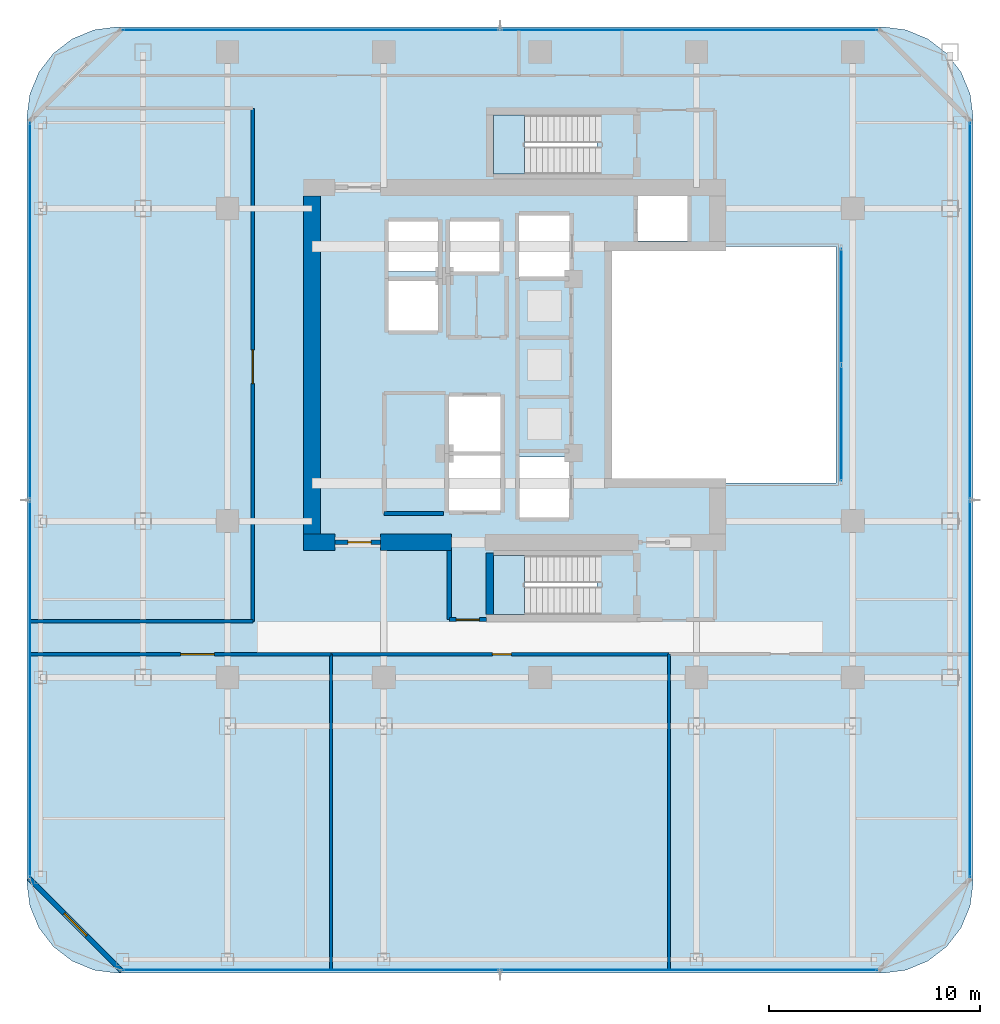
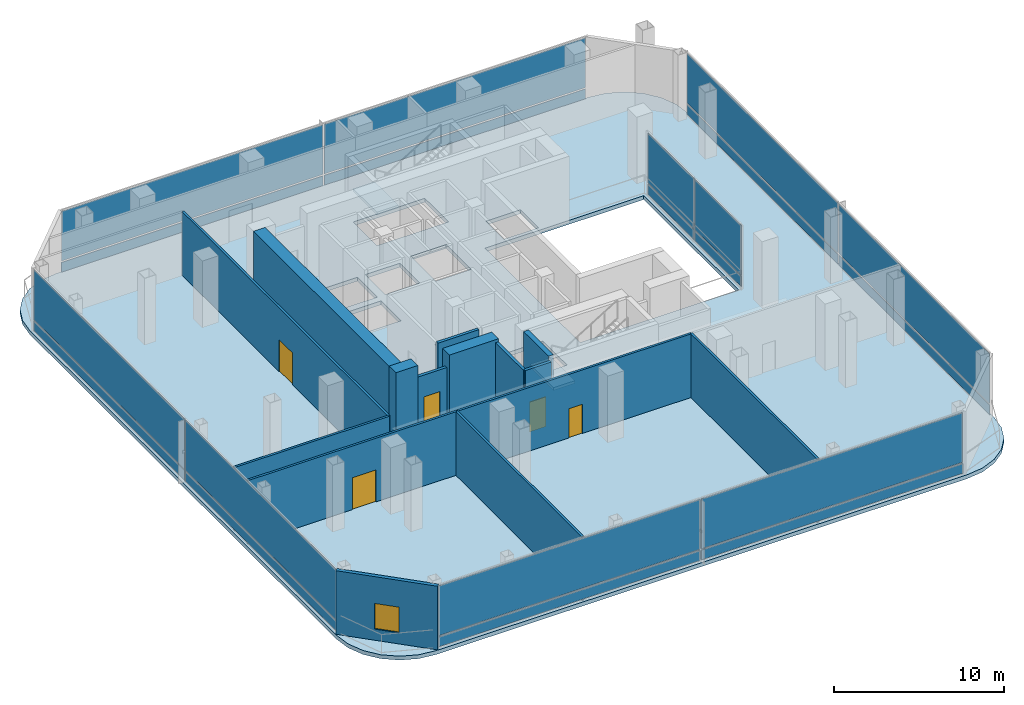
# One storey, part 15 of 22: 20 plates, 15 walls, 5 doors, 3 slabs, 1 window, 6 openings, 7 elements without a shape of their own.
"""IFC4 building model written with IfcOpenShell, lengths in metres."""

from ifc_helpers import new_model, si_unit, direction, frame, frame_2d, origin, origin_2d, place, context, subcontext, project, spatial, polyline, rectangle, outline, extrude, material, layer, layer_set, type_object, element, fill, aggregate, save


model = new_model("IFC4")

# Units and contexts
model_context = context("Model", 3, precision=1e-05, world=origin(), true_north=direction((0.0, 1.0)))
body_context = subcontext(model_context, "Body", "Model", "MODEL_VIEW")
ifc_project = project(units=[si_unit("LENGTHUNIT", "METRE"), si_unit("AREAUNIT", "SQUARE_METRE"), si_unit("VOLUMEUNIT", "CUBIC_METRE"), si_unit("PLANEANGLEUNIT", "RADIAN"), si_unit("MASSUNIT", "GRAM", prefix="KILO")], contexts=[model_context])

# Site, building, storey
site_placement = place(None, origin())
site = spatial("IfcSite", under=ifc_project, at=site_placement, CompositionType="ELEMENT")
building_placement = place(site_placement, origin())
building = spatial("IfcBuilding", under=site, at=building_placement, Name="Khorvyn Point Tower", CompositionType="ELEMENT")
storey_placement = place(building_placement, frame((0.0, 0.0, 210.89990234375)))
storey = spatial("IfcBuildingStorey", under=building, at=storey_placement, Name="L52", CompositionType="ELEMENT", Elevation=210.89990234375)

# Stair, slab
ifc_material_1 = material(Name="Concrete C40/50", Category="concrete")
stair_type = type_object("IfcStairType", Name="Tower Concrete C40/50 Dogleg Exit Stair", PredefinedType="HALF_TURN_STAIR", material=ifc_material_1)
stair_1_placement = place(storey_placement, origin())
stair_1 = element("IfcStair", 1, at=stair_1_placement, inside=storey, type_object=stair_type, Name="L52 Tower Smokeproof Exit Stair South", PredefinedType="HALF_TURN_STAIR")
ifc_layer_1 = layer(ifc_material_1, 0.199951171875)
ifc_layer_set_1 = layer_set([ifc_layer_1], Name="Concrete C40/50 Stair Landing Slab 200")
slab_type_1 = type_object("IfcSlabType", Name="Concrete C40/50 Stair Landing Slab 200", PredefinedType="LANDING", material=ifc_layer_set_1)
slab_1_placement = place(storey_placement, frame((0.0, 0.0, 2.2001953125)))
slab_1 = element("IfcSlab", 2, at=slab_1_placement, type_object=slab_type_1, Name="ST-01 landing 1", PredefinedType="LANDING", context=body_context, shape_type="SweptSolid", body=[
    extrude(outline(polyline([(-0.739990234375, -9.02001953125), (-2.199951171875, -9.02001953125), (-2.199951171875, -11.820068359375), (-0.739990234375, -11.820068359375), (-0.739990234375, -9.02001953125)])), origin(), (0.0, 0.0, 1.0), 0.199951171875),
])
aggregate(stair_1, [slab_1])

stair_2_placement = place(storey_placement, origin())
stair_2 = element("IfcStair", 3, at=stair_2_placement, inside=storey, type_object=stair_type, Name="L52 Tower Smokeproof Exit Stair North", PredefinedType="HALF_TURN_STAIR")
slab_2_placement = place(storey_placement, frame((0.0, 0.0, 2.2001953125)))
slab_2 = element("IfcSlab", 4, at=slab_2_placement, type_object=slab_type_1, Name="ST-02 landing 1", PredefinedType="LANDING", context=body_context, shape_type="SweptSolid", body=[
    extrude(outline(polyline([(-0.739990234375, 11.820068359375), (-2.199951171875, 11.820068359375), (-2.199951171875, 9.02001953125), (-0.739990234375, 9.02001953125), (-0.739990234375, 11.820068359375)])), origin(), (0.0, 0.0, 1.0), 0.199951171875),
])
aggregate(stair_2, [slab_2])

# Slab
ifc_layer_2 = layer(ifc_material_1, 0.280029296875)
ifc_layer_set_2 = layer_set([ifc_layer_2], Name="Concrete C40/50 Structural Floor Slab 280")
slab_type_2 = type_object("IfcSlabType", Name="Concrete C40/50 Structural Floor Slab 280", PredefinedType="FLOOR", material=ifc_layer_set_2)
slab_3_placement = place(storey_placement, frame((0.0, 0.0, -0.27978515625)))
element("IfcSlab", 5, at=slab_3_placement, inside=storey, type_object=slab_type_2, Name="L52 Main Structural Floor Slab", PredefinedType="FLOOR", context=body_context, shape_type="SweptSolid", body=[
    extrude(outline(polyline([(-20.0, -28.800048828125), (-21.11279296875, -28.653564453125), (-22.14990234375, -28.223876953125), (-23.04052734375, -27.54052734375), (-23.723876953125, -26.64990234375), (-24.153564453125, -25.61279296875), (-24.300048828125, -24.5), (-24.300048828125, 11.699951171875), (-24.153564453125, 12.81298828125), (-23.723876953125, 13.85009765625), (-23.04052734375, 14.740478515625), (-22.14990234375, 15.423828125), (-21.11279296875, 15.853515625), (-20.0, 16.0), (16.199951171875, 16.0), (17.31298828125, 15.853515625), (18.35009765625, 15.423828125), (19.240478515625, 14.740478515625), (19.923828125, 13.85009765625), (20.353515625, 12.81298828125), (20.5, 11.699951171875), (20.5, -24.5), (20.353515625, -25.61279296875), (19.923828125, -26.64990234375), (19.240478515625, -27.54052734375), (18.35009765625, -28.223876953125), (17.31298828125, -28.653564453125), (16.199951171875, -28.800048828125), (-20.0, -28.800048828125)]), holes=[polyline([(-1.875, -6.89990234375), (-1.875, -4.300048828125), (-4.324951171875, -4.300048828125), (-4.324951171875, -6.89990234375), (-1.875, -6.89990234375)]), polyline([(-1.875, -4.10009765625), (-1.875, -1.5), (-4.324951171875, -1.5), (-4.324951171875, -4.10009765625), (-1.875, -4.10009765625)]), polyline([(-4.824951171875, 1.625), (-4.824951171875, 3.97509765625), (-7.175048828125, 3.97509765625), (-7.175048828125, 1.625), (-4.824951171875, 1.625)]), polyline([(-7.175048828125, 4.425048828125), (-4.824951171875, 4.425048828125), (-4.824951171875, 6.77490234375), (-7.175048828125, 6.77490234375), (-7.175048828125, 4.425048828125)]), polyline([(-4.27490234375, 4.425048828125), (-1.925048828125, 4.425048828125), (-1.925048828125, 6.77490234375), (-4.27490234375, 6.77490234375), (-4.27490234375, 4.425048828125)]), polyline([(1.39990234375, 4.125), (1.39990234375, 7.074951171875), (-1.0, 7.074951171875), (-1.0, 4.125), (1.39990234375, 4.125)]), polyline([(-2.199951171875, -11.820068359375), (2.679931640625, -11.820068359375), (2.679931640625, -9.02001953125), (-2.199951171875, -9.02001953125), (-2.199951171875, -11.820068359375)]), polyline([(-0.97509765625, -7.22509765625), (1.375, -7.22509765625), (1.375, -4.375), (-0.97509765625, -4.375), (-0.97509765625, -7.22509765625)]), polyline([(14.0, -5.60009765625), (14.0, 5.60009765625), (3.199951171875, 5.60009765625), (3.199951171875, -5.60009765625), (14.0, -5.60009765625)]), polyline([(4.625, 5.85009765625), (6.97509765625, 5.85009765625), (6.97509765625, 7.97998046875), (4.625, 7.97998046875), (4.625, 5.85009765625)]), polyline([(-2.199951171875, 9.02001953125), (2.679931640625, 9.02001953125), (2.679931640625, 11.820068359375), (-2.199951171875, 11.820068359375), (-2.199951171875, 9.02001953125)])]), origin(), (0.0, 0.0, 1.0), 0.27978515625),
])

# Curtain wall, plates
ifc_material_2 = material(Name="Anodised aluminium 6063-T6 and laminated Low-E glass", Category="aluminium")
ifc_layer_3 = layer(ifc_material_2, 0.18994140625)
ifc_layer_set_3 = layer_set([ifc_layer_3], Name="Stick-Built Sky-Lobby Curtain Wall CW-SYS-05")
curtain_wall_type_1 = type_object("IfcCurtainWallType", Name="Stick-Built Sky-Lobby Curtain Wall CW-SYS-05", PredefinedType="NOTDEFINED", material=ifc_layer_set_3)
curtain_wall_1_placement = place(storey_placement, origin())
curtain_wall_1 = element("IfcCurtainWall", 6, at=curtain_wall_1_placement, inside=storey, type_object=curtain_wall_type_1, Name="Curtain Wall", PredefinedType="NOTDEFINED")
ifc_material_3 = material(Name="Pale anodised aluminium 5005", Category="aluminium")
ifc_layer_4 = layer(ifc_material_3, 0.0400390625)
ifc_layer_set_4 = layer_set([ifc_layer_4], Name="Pale Champagne Aluminium Insulated Spandrel Panel CW-SP40")
plate_type_1 = type_object("IfcPlateType", Name="Pale Champagne Aluminium Insulated Spandrel Panel CW-SP40", PredefinedType="SHEET", material=ifc_layer_set_4)
plate_1_placement = place(storey_placement, frame((7.050048828125, -28.64990234375, 0.10009765625), z_axis=(0.0, 0.0, 1.0), x_axis=(-1.0, 0.0, 0.0)))
plate_1 = element("IfcPlate", 7, at=plate_1_placement, type_object=plate_type_1, Name="Panel", PredefinedType="SHEET", context=body_context, shape_type="SweptSolid", body=[
    extrude(rectangle(XDim=17.800048828125, YDim=0.0400390625, at=origin_2d()), origin(), (0.0, 0.0, 1.0), 0.699951171875),
])
plate_2_placement = place(storey_placement, frame((-10.85009765625, -28.64990234375, 0.10009765625), z_axis=(0.0, 0.0, 1.0), x_axis=(-1.0, 0.0, 0.0)))
plate_2 = element("IfcPlate", 8, at=plate_2_placement, type_object=plate_type_1, Name="Panel", PredefinedType="SHEET", context=body_context, shape_type="SweptSolid", body=[
    extrude(rectangle(XDim=17.800048828125, YDim=0.0400390625, at=origin_2d()), origin(), (0.0, 0.0, 1.0), 0.699951171875),
])

curtain_wall_2_placement = place(storey_placement, origin())
curtain_wall_2 = element("IfcCurtainWall", 9, at=curtain_wall_2_placement, inside=storey, type_object=curtain_wall_type_1, Name="Curtain Wall", PredefinedType="NOTDEFINED")
plate_3_placement = place(storey_placement, frame((-10.85009765625, 15.85009765625, 0.10009765625), z_axis=(0.0, 0.0, 1.0), x_axis=(1.0, 0.0, 0.0)))
plate_3 = element("IfcPlate", 10, at=plate_3_placement, type_object=plate_type_1, Name="Panel", PredefinedType="SHEET", context=body_context, shape_type="SweptSolid", body=[
    extrude(rectangle(XDim=17.800048828125, YDim=0.0400390625, at=origin_2d()), origin(), (0.0, 0.0, 1.0), 0.699951171875),
])
plate_4_placement = place(storey_placement, frame((7.050048828125, 15.85009765625, 0.10009765625), z_axis=(0.0, 0.0, 1.0), x_axis=(1.0, 0.0, 0.0)))
plate_4 = element("IfcPlate", 11, at=plate_4_placement, type_object=plate_type_1, Name="Panel", PredefinedType="SHEET", context=body_context, shape_type="SweptSolid", body=[
    extrude(rectangle(XDim=17.800048828125, YDim=0.0400390625, at=origin_2d()), origin(), (0.0, 0.0, 1.0), 0.699951171875),
])

curtain_wall_3_placement = place(storey_placement, origin())
curtain_wall_3 = element("IfcCurtainWall", 12, at=curtain_wall_3_placement, inside=storey, type_object=curtain_wall_type_1, Name="Curtain Wall", PredefinedType="NOTDEFINED")
plate_5_placement = place(storey_placement, frame((-24.14990234375, -15.35009765625, 0.10009765625), z_axis=(0.0, 0.0, 1.0), x_axis=(0.0, 1.0, 0.0)))
plate_5 = element("IfcPlate", 13, at=plate_5_placement, type_object=plate_type_1, Name="Panel", PredefinedType="SHEET", context=body_context, shape_type="SweptSolid", body=[
    extrude(rectangle(XDim=17.800048828125, YDim=0.0400390625, at=origin_2d()), origin(), (0.0, 0.0, 1.0), 0.699951171875),
])
plate_6_placement = place(storey_placement, frame((-24.14990234375, 2.550048828125, 0.10009765625), z_axis=(0.0, 0.0, 1.0), x_axis=(0.0, 1.0, 0.0)))
plate_6 = element("IfcPlate", 14, at=plate_6_placement, type_object=plate_type_1, Name="Panel", PredefinedType="SHEET", context=body_context, shape_type="SweptSolid", body=[
    extrude(rectangle(XDim=17.800048828125, YDim=0.0400390625, at=origin_2d()), origin(), (0.0, 0.0, 1.0), 0.699951171875),
])

curtain_wall_4_placement = place(storey_placement, origin())
curtain_wall_4 = element("IfcCurtainWall", 15, at=curtain_wall_4_placement, inside=storey, type_object=curtain_wall_type_1, Name="Curtain Wall", PredefinedType="NOTDEFINED")
plate_7_placement = place(storey_placement, frame((20.35009765625, 2.550048828125, 0.10009765625), z_axis=(0.0, 0.0, 1.0), x_axis=(0.0, -1.0, 0.0)))
plate_7 = element("IfcPlate", 16, at=plate_7_placement, type_object=plate_type_1, Name="Panel", PredefinedType="SHEET", context=body_context, shape_type="SweptSolid", body=[
    extrude(rectangle(XDim=17.800048828125, YDim=0.0400390625, at=origin_2d()), origin(), (0.0, 0.0, 1.0), 0.699951171875),
])
plate_8_placement = place(storey_placement, frame((20.35009765625, -15.35009765625, 0.10009765625), z_axis=(0.0, 0.0, 1.0), x_axis=(0.0, -1.0, 0.0)))
plate_8 = element("IfcPlate", 17, at=plate_8_placement, type_object=plate_type_1, Name="Panel", PredefinedType="SHEET", context=body_context, shape_type="SweptSolid", body=[
    extrude(rectangle(XDim=17.800048828125, YDim=0.0400390625, at=origin_2d()), origin(), (0.0, 0.0, 1.0), 0.699951171875),
])

ifc_layer_5 = layer(ifc_material_2, 0.18994140625)
ifc_layer_set_5 = layer_set([ifc_layer_5], Name="Stick-Built Crystal Atrium Curtain Wall CW-SYS-06")
curtain_wall_type_2 = type_object("IfcCurtainWallType", Name="Stick-Built Crystal Atrium Curtain Wall CW-SYS-06", PredefinedType="NOTDEFINED", material=ifc_layer_set_5)
curtain_wall_5_placement = place(storey_placement, origin())
curtain_wall_5 = element("IfcCurtainWall", 18, at=curtain_wall_5_placement, inside=storey, type_object=curtain_wall_type_2, Name="Curtain Wall", PredefinedType="NOTDEFINED")
plate_9_placement = place(storey_placement, frame((14.25, -2.77490234375, 0.10009765625), z_axis=(0.0, 0.0, 1.0), x_axis=(0.0, 1.0, 0.0)))
plate_9 = element("IfcPlate", 19, at=plate_9_placement, type_object=plate_type_1, Name="Panel", PredefinedType="SHEET", context=body_context, shape_type="SweptSolid", body=[
    extrude(rectangle(XDim=5.449951171875, YDim=0.0400390625, at=origin_2d()), origin(), (0.0, 0.0, 1.0), 0.699951171875),
])
plate_10_placement = place(storey_placement, frame((14.25, 2.77490234375, 0.10009765625), z_axis=(0.0, 0.0, 1.0), x_axis=(0.0, 1.0, 0.0)))
plate_10 = element("IfcPlate", 20, at=plate_10_placement, type_object=plate_type_1, Name="Panel", PredefinedType="SHEET", context=body_context, shape_type="SweptSolid", body=[
    extrude(rectangle(XDim=5.449951171875, YDim=0.0400390625, at=origin_2d()), origin(), (0.0, 0.0, 1.0), 0.699951171875),
])

# Plate
ifc_material_4 = material(Name="Laminated Low-E insulated glass", Category="glass")
ifc_layer_6 = layer(ifc_material_4, 0.028076171875)
ifc_layer_set_6 = layer_set([ifc_layer_6], Name="Tempered Low-E Vision Glazing Panel CW-GL28")
plate_type_2 = type_object("IfcPlateType", Name="Tempered Low-E Vision Glazing Panel CW-GL28", PredefinedType="CURTAIN_PANEL", material=ifc_layer_set_6)
plate_11_placement = place(storey_placement, frame((7.050048828125, -28.64990234375, 0.900146484375), z_axis=(0.0, 0.0, 1.0), x_axis=(-1.0, 0.0, 0.0)))
plate_11 = element("IfcPlate", 21, at=plate_11_placement, type_object=plate_type_2, Name="Panel", PredefinedType="CURTAIN_PANEL", context=body_context, shape_type="SweptSolid", body=[
    extrude(rectangle(XDim=17.800048828125, YDim=0.028076171875, at=origin_2d()), origin(), (0.0, 0.0, 1.0), 3.580078125),
])

plate_12_placement = place(storey_placement, frame((-10.85009765625, -28.64990234375, 0.900146484375), z_axis=(0.0, 0.0, 1.0), x_axis=(-1.0, 0.0, 0.0)))
plate_12 = element("IfcPlate", 22, at=plate_12_placement, type_object=plate_type_2, Name="Panel", PredefinedType="CURTAIN_PANEL", context=body_context, shape_type="SweptSolid", body=[
    extrude(rectangle(XDim=17.800048828125, YDim=0.028076171875, at=origin_2d()), origin(), (0.0, 0.0, 1.0), 3.580078125),
])

aggregate(curtain_wall_1, [plate_1, plate_11, plate_2, plate_12])

plate_13_placement = place(storey_placement, frame((-10.85009765625, 15.85009765625, 0.900146484375), z_axis=(0.0, 0.0, 1.0), x_axis=(1.0, 0.0, 0.0)))
plate_13 = element("IfcPlate", 23, at=plate_13_placement, type_object=plate_type_2, Name="Panel", PredefinedType="CURTAIN_PANEL", context=body_context, shape_type="SweptSolid", body=[
    extrude(rectangle(XDim=17.800048828125, YDim=0.028076171875, at=origin_2d()), origin(), (0.0, 0.0, 1.0), 3.580078125),
])

plate_14_placement = place(storey_placement, frame((7.050048828125, 15.85009765625, 0.900146484375), z_axis=(0.0, 0.0, 1.0), x_axis=(1.0, 0.0, 0.0)))
plate_14 = element("IfcPlate", 24, at=plate_14_placement, type_object=plate_type_2, Name="Panel", PredefinedType="CURTAIN_PANEL", context=body_context, shape_type="SweptSolid", body=[
    extrude(rectangle(XDim=17.800048828125, YDim=0.028076171875, at=origin_2d()), origin(), (0.0, 0.0, 1.0), 3.580078125),
])

aggregate(curtain_wall_2, [plate_3, plate_13, plate_4, plate_14])

plate_15_placement = place(storey_placement, frame((-24.14990234375, -15.35009765625, 0.900146484375), z_axis=(0.0, 0.0, 1.0), x_axis=(0.0, 1.0, 0.0)))
plate_15 = element("IfcPlate", 25, at=plate_15_placement, type_object=plate_type_2, Name="Panel", PredefinedType="CURTAIN_PANEL", context=body_context, shape_type="SweptSolid", body=[
    extrude(rectangle(XDim=17.800048828125, YDim=0.028076171875, at=origin_2d()), origin(), (0.0, 0.0, 1.0), 3.580078125),
])

plate_16_placement = place(storey_placement, frame((-24.14990234375, 2.550048828125, 0.900146484375), z_axis=(0.0, 0.0, 1.0), x_axis=(0.0, 1.0, 0.0)))
plate_16 = element("IfcPlate", 26, at=plate_16_placement, type_object=plate_type_2, Name="Panel", PredefinedType="CURTAIN_PANEL", context=body_context, shape_type="SweptSolid", body=[
    extrude(rectangle(XDim=17.800048828125, YDim=0.028076171875, at=origin_2d()), origin(), (0.0, 0.0, 1.0), 3.580078125),
])

aggregate(curtain_wall_3, [plate_5, plate_15, plate_6, plate_16])

plate_17_placement = place(storey_placement, frame((20.35009765625, 2.550048828125, 0.900146484375), z_axis=(0.0, 0.0, 1.0), x_axis=(0.0, -1.0, 0.0)))
plate_17 = element("IfcPlate", 27, at=plate_17_placement, type_object=plate_type_2, Name="Panel", PredefinedType="CURTAIN_PANEL", context=body_context, shape_type="SweptSolid", body=[
    extrude(rectangle(XDim=17.800048828125, YDim=0.028076171875, at=origin_2d()), origin(), (0.0, 0.0, 1.0), 3.580078125),
])

plate_18_placement = place(storey_placement, frame((20.35009765625, -15.35009765625, 0.900146484375), z_axis=(0.0, 0.0, 1.0), x_axis=(0.0, -1.0, 0.0)))
plate_18 = element("IfcPlate", 28, at=plate_18_placement, type_object=plate_type_2, Name="Panel", PredefinedType="CURTAIN_PANEL", context=body_context, shape_type="SweptSolid", body=[
    extrude(rectangle(XDim=17.800048828125, YDim=0.028076171875, at=origin_2d()), origin(), (0.0, 0.0, 1.0), 3.580078125),
])

aggregate(curtain_wall_4, [plate_7, plate_17, plate_8, plate_18])

plate_19_placement = place(storey_placement, frame((14.25, -2.77490234375, 0.900146484375), z_axis=(0.0, 0.0, 1.0), x_axis=(0.0, 1.0, 0.0)))
plate_19 = element("IfcPlate", 29, at=plate_19_placement, type_object=plate_type_2, Name="Panel", PredefinedType="CURTAIN_PANEL", context=body_context, shape_type="SweptSolid", body=[
    extrude(rectangle(XDim=5.449951171875, YDim=0.028076171875, at=origin_2d()), origin(), (0.0, 0.0, 1.0), 3.580078125),
])

plate_20_placement = place(storey_placement, frame((14.25, 2.77490234375, 0.900146484375), z_axis=(0.0, 0.0, 1.0), x_axis=(0.0, 1.0, 0.0)))
plate_20 = element("IfcPlate", 30, at=plate_20_placement, type_object=plate_type_2, Name="Panel", PredefinedType="CURTAIN_PANEL", context=body_context, shape_type="SweptSolid", body=[
    extrude(rectangle(XDim=5.449951171875, YDim=0.028076171875, at=origin_2d()), origin(), (0.0, 0.0, 1.0), 3.580078125),
])

aggregate(curtain_wall_5, [plate_9, plate_19, plate_10, plate_20])

# Wall, opening, window
ifc_material_5 = material(Name="Pale anodised aluminium rainscreen on steel stud", Category="steel")
ifc_layer_7 = layer(ifc_material_5, 0.239990234375)
ifc_layer_set_7 = layer_set([ifc_layer_7], Name="Anodised Aluminium Insulated Corner Spandrel Wall 240")
wall_type_1 = type_object("IfcWallType", Name="Anodised Aluminium Insulated Corner Spandrel Wall 240", PredefinedType="SOLIDWALL", material=ifc_layer_set_7)
wall_1_placement = place(storey_placement, frame((-19.8076171875, -28.6923828125, 0.0), z_axis=(0.0, 0.0, 1.0), x_axis=(-0.707106781187, 0.707106781187, 0.0)))
wall_1 = element("IfcWall", 31, at=wall_1_placement, inside=storey, type_object=wall_type_1, Name="L52 Rounded Corner Wall SW", PredefinedType="SOLIDWALL", context=body_context, shape_type="SweptSolid", body=[
    extrude(rectangle(XDim=6.200927734375, YDim=0.239990234375, at=frame_2d((3.1005859375, 0.0))), origin(), (0.0, 0.0, 1.0), 4.580078125),
])
opening_1_placement = place(wall_1_placement, frame((2.3505859375, 0.0, 0.800048828125)))
opening_1 = element("IfcOpeningElement", 32, at=opening_1_placement, cuts=wall_1, Name="Opening WN-1518", PredefinedType="OPENING", context=body_context, shape_type="SweptSolid", body=[
    extrude(rectangle(XDim=1.5, YDim=1.85009765625, at=frame_2d((0.75, 0.925048828125))), frame((0.0, 0.1298828125, 0.0), z_axis=(0.0, -1.0, 0.0), x_axis=(1.0, 0.0, 0.0)), (0.0, 0.0, 1.0), 0.260009765625),
])
window_type = type_object("IfcWindowType", Name="Anodised Aluminium Rounded-Corner Panoramic Window 1500x1850", PartitioningType="SINGLE_PANEL", PredefinedType="WINDOW", material=ifc_material_2)
window_placement = place(opening_1_placement, origin())
window = element("IfcWindow", 33, at=window_placement, inside=storey, type_object=window_type, Name="L52 Corner Panoramic Window SW", OverallHeight=1.85009765625, OverallWidth=1.5, PartitioningType="SINGLE_PANEL", PredefinedType="WINDOW", context=body_context, shape_type="SweptSolid", body=[
    extrude(rectangle(XDim=1.5, YDim=1.85009765625, at=frame_2d((0.75, 0.925048828125))), frame((0.0, 0.030029296875, 0.0), z_axis=(0.0, -1.0, 0.0), x_axis=(1.0, 0.0, 0.0)), (0.0, 0.0, 1.0), 0.06005859375),
])
fill(opening_1, window)

# Wall, opening, door
ifc_layer_8 = layer(ifc_material_1, 0.199951171875)
ifc_layer_set_8 = layer_set([ifc_layer_8], Name="Concrete C40/50 Fire-Lobby Compartment Wall 200")
wall_type_2 = type_object("IfcWallType", Name="Concrete C40/50 Fire-Lobby Compartment Wall 200", PredefinedType="SOLIDWALL", material=ifc_layer_set_8)
wall_2_placement = place(storey_placement, frame((-9.699951171875, -8.39990234375, 0.0), z_axis=(0.0, 0.0, 1.0), x_axis=(1.0, 0.0, 0.0)))
wall_2 = element("IfcWall", 34, at=wall_2_placement, inside=storey, type_object=wall_type_2, Name="Wall", PredefinedType="SOLIDWALL", context=body_context, shape_type="SweptSolid", body=[
    extrude(rectangle(XDim=2.14990234375, YDim=0.199951171875, at=frame_2d((1.074951171875, 0.0))), origin(), (0.0, 0.0, 1.0), 3.72021484375),
])
opening_2_placement = place(wall_2_placement, frame((0.597900390625, 0.0, 0.0)))
opening_2 = element("IfcOpeningElement", 35, at=opening_2_placement, cuts=wall_2, Name="Opening ID-FL90", PredefinedType="OPENING", context=body_context, shape_type="SweptSolid", body=[
    extrude(rectangle(XDim=1.10009765625, YDim=2.14990234375, at=frame_2d((0.550048828125, 1.074951171875))), frame((0.0, 0.10986328125, 0.0), z_axis=(0.0, -1.0, 0.0), x_axis=(1.0, 0.0, 0.0)), (0.0, 0.0, 1.0), 0.219970703125),
])
ifc_material_6 = material(Name="Galvanised powder-coated steel", Category="steel")
door_type_1 = type_object("IfcDoorType", Name="Fire-Rated Steel Lobby and Stair Door 1100x2150", OperationType="NOTDEFINED", PredefinedType="DOOR", material=ifc_material_6)
door_1_placement = place(opening_2_placement, origin())
door_1 = element("IfcDoor", 36, at=door_1_placement, inside=storey, type_object=door_type_1, Name="Door", OperationType="SINGLE_SWING_RIGHT", OverallHeight=2.14990234375, OverallWidth=1.10009765625, PredefinedType="DOOR", context=body_context, shape_type="SweptSolid", body=[
    extrude(rectangle(XDim=1.10009765625, YDim=2.14990234375, at=frame_2d((0.550048828125, 1.074951171875))), frame((0.0, 0.02490234375, 0.0), z_axis=(0.0, -1.0, 0.0), x_axis=(1.0, 0.0, 0.0)), (0.0, 0.0, 1.0), 0.050048828125),
])
fill(opening_2, door_1)

wall_3_placement = place(storey_placement, frame((-4.300048828125, -12.06005859375, 0.0), z_axis=(0.0, 0.0, 1.0), x_axis=(1.0, 0.0, 0.0)))
wall_3 = element("IfcWall", 37, at=wall_3_placement, inside=storey, type_object=wall_type_2, Name="Wall", PredefinedType="SOLIDWALL", context=body_context, shape_type="SweptSolid", body=[
    extrude(rectangle(XDim=1.75, YDim=0.199951171875, at=frame_2d((0.875, 0.0))), origin(), (0.0, 0.0, 1.0), 4.580078125),
])
opening_3_placement = place(wall_3_placement, frame((0.324951171875, 0.0, 0.0)))
opening_3 = element("IfcOpeningElement", 38, at=opening_3_placement, cuts=wall_3, Name="Opening ID-FL90", PredefinedType="OPENING", context=body_context, shape_type="SweptSolid", body=[
    extrude(rectangle(XDim=1.10009765625, YDim=2.14990234375, at=frame_2d((0.550048828125, 1.074951171875))), frame((0.0, 0.10986328125, 0.0), z_axis=(0.0, -1.0, 0.0), x_axis=(1.0, 0.0, 0.0)), (0.0, 0.0, 1.0), 0.219970703125),
])
door_2_placement = place(opening_3_placement, origin())
door_2 = element("IfcDoor", 39, at=door_2_placement, inside=storey, type_object=door_type_1, Name="Door", OperationType="SINGLE_SWING_RIGHT", OverallHeight=2.14990234375, OverallWidth=1.10009765625, PredefinedType="DOOR", context=body_context, shape_type="SweptSolid", body=[
    extrude(rectangle(XDim=1.10009765625, YDim=2.14990234375, at=frame_2d((0.550048828125, 1.074951171875))), frame((0.0, 0.02490234375, 0.0), z_axis=(0.0, -1.0, 0.0), x_axis=(1.0, 0.0, 0.0)), (0.0, 0.0, 1.0), 0.050048828125),
])
fill(opening_3, door_2)

# Walls
wall_4_placement = place(storey_placement, frame((-4.300048828125, -12.06005859375, 0.0), z_axis=(0.0, 0.0, 1.0), x_axis=(0.0, 1.0, 0.0)))
element("IfcWall", 40, at=wall_4_placement, inside=storey, type_object=wall_type_2, Name="Wall", PredefinedType="SOLIDWALL", context=body_context, shape_type="SweptSolid", body=[
    extrude(rectangle(XDim=3.260009765625, YDim=0.199951171875, at=frame_2d((1.6298828125, 0.0))), origin(), (0.0, 0.0, 1.0), 4.580078125),
])
wall_5_placement = place(storey_placement, frame((-7.3798828125, -7.0400390625, 0.0), z_axis=(0.0, 0.0, 1.0), x_axis=(1.0, 0.0, 0.0)))
element("IfcWall", 41, at=wall_5_placement, inside=storey, type_object=wall_type_2, Name="Wall", PredefinedType="SOLIDWALL", context=body_context, shape_type="SweptSolid", body=[
    extrude(rectangle(XDim=2.7998046875, YDim=0.199951171875, at=frame_2d((1.39990234375, 0.0))), origin(), (0.0, 0.0, 1.0), 4.580078125),
])
ifc_layer_9 = layer(ifc_material_1, 0.35009765625)
ifc_layer_set_9 = layer_set([ifc_layer_9], Name="Concrete C40/50 Stair Shaft Structural Wall 350")
wall_type_3 = type_object("IfcWallType", Name="Concrete C40/50 Stair Shaft Structural Wall 350", PredefinedType="SHEAR", material=ifc_layer_set_9)
wall_6_placement = place(storey_placement, frame((-2.3798828125, -11.824951171875, 0.0), z_axis=(0.0, 0.0, 1.0), x_axis=(0.0, 1.0, 0.0)))
element("IfcWall", 42, at=wall_6_placement, inside=storey, type_object=wall_type_3, Name="L52 ST-01 West Shaft Wall", PredefinedType="SHEAR", context=body_context, shape_type="SweptSolid", body=[
    extrude(rectangle(XDim=2.925048828125, YDim=0.35009765625, at=frame_2d((1.46240234375, 0.0))), origin(), (0.0, 0.0, 1.0), 4.800048828125),
])
ifc_material_7 = material(Name="Concrete C45/55", Category="concrete")
ifc_layer_10 = layer(ifc_material_7, 0.800048828125)
ifc_layer_set_10 = layer_set([ifc_layer_10], Name="Concrete C45/55 Core Shear Wall 800")
wall_type_4 = type_object("IfcWallType", Name="Concrete C45/55 Core Shear Wall 800", PredefinedType="SHEAR", material=ifc_layer_set_10)
wall_7_placement = place(storey_placement, frame((-11.199951171875, -8.39990234375, 0.0), z_axis=(0.0, 0.0, 1.0), x_axis=(1.0, 0.0, 0.0)))
element("IfcWall", 43, at=wall_7_placement, inside=storey, type_object=wall_type_4, Name="Wall", PredefinedType="SHEAR", context=body_context, shape_type="SweptSolid", body=[
    extrude(rectangle(XDim=1.5, YDim=0.800048828125, at=frame_2d((0.75, 0.0))), origin(), (0.0, 0.0, 1.0), 4.800048828125),
])
wall_8_placement = place(storey_placement, frame((-7.550048828125, -8.39990234375, 0.0), z_axis=(0.0, 0.0, 1.0), x_axis=(1.0, 0.0, 0.0)))
element("IfcWall", 44, at=wall_8_placement, inside=storey, type_object=wall_type_4, Name="Wall", PredefinedType="SHEAR", context=body_context, shape_type="SweptSolid", body=[
    extrude(rectangle(XDim=3.35009765625, YDim=0.800048828125, at=frame_2d((1.675048828125, 0.0))), origin(), (0.0, 0.0, 1.0), 4.800048828125),
])
wall_9_placement = place(storey_placement, frame((-10.800048828125, -8.0, 0.0), z_axis=(0.0, 0.0, 1.0), x_axis=(0.0, 1.0, 0.0)))
element("IfcWall", 45, at=wall_9_placement, inside=storey, type_object=wall_type_4, Name="Wall", PredefinedType="SHEAR", context=body_context, shape_type="SweptSolid", body=[
    extrude(rectangle(XDim=16.0, YDim=0.800048828125, at=frame_2d((8.0, 0.0))), origin(), (0.0, 0.0, 1.0), 4.800048828125),
])

# Wall, opening, door
ifc_material_8 = material(Name="Moisture-resistant gypsum and cement board", Category="gypsum")
ifc_layer_11 = layer(ifc_material_8, 0.14990234375)
ifc_layer_set_11 = layer_set([ifc_layer_11], Name="Moisture-Resistant Wet-Room Partition Wall 150")
wall_type_5 = type_object("IfcWallType", Name="Moisture-Resistant Wet-Room Partition Wall 150", PredefinedType="PARTITIONING", material=ifc_layer_set_11)
wall_10_placement = place(storey_placement, frame((-24.1298828125, -13.699951171875, 0.0), z_axis=(0.0, 0.0, 1.0), x_axis=(1.0, 0.0, 0.0)))
wall_10 = element("IfcWall", 46, at=wall_10_placement, inside=storey, type_object=wall_type_5, Name="Wall", PredefinedType="PARTITIONING", context=body_context, shape_type="SweptSolid", body=[
    extrude(rectangle(XDim=14.223876953125, YDim=0.14990234375, at=frame_2d((7.11181640625, 0.0))), origin(), (0.0, 0.0, 1.0), 4.580078125),
])
opening_4_placement = place(wall_10_placement, frame((7.114501953125, 0.0, 0.0)))
opening_4 = element("IfcOpeningElement", 47, at=opening_4_placement, cuts=wall_10, Name="Opening ID-LB30", PredefinedType="OPENING", context=body_context, shape_type="SweptSolid", body=[
    extrude(rectangle(XDim=1.60009765625, YDim=2.300048828125, at=frame_2d((0.800048828125, 1.14990234375))), frame((0.0, 0.0849609375, 0.0), z_axis=(0.0, -1.0, 0.0), x_axis=(1.0, 0.0, 0.0)), (0.0, 0.0, 1.0), 0.169921875),
])
ifc_material_9 = material(Name="Anodised aluminium 6063-T6 and tempered glass", Category="aluminium")
door_type_2 = type_object("IfcDoorType", Name="Glazed Aluminium Sky-Lobby Double Swing Door 1600x2300", OperationType="DOUBLE_DOOR_SINGLE_SWING", PredefinedType="DOOR", material=ifc_material_9)
door_3_placement = place(opening_4_placement, origin())
door_3 = element("IfcDoor", 48, at=door_3_placement, inside=storey, type_object=door_type_2, Name="Door", OperationType="SINGLE_SWING_LEFT", OverallHeight=2.300048828125, OverallWidth=1.60009765625, PredefinedType="DOOR", context=body_context, shape_type="SweptSolid", body=[
    extrude(rectangle(XDim=1.60009765625, YDim=2.300048828125, at=frame_2d((0.800048828125, 1.14990234375))), frame((0.0, 0.02490234375, 0.0), z_axis=(0.0, -1.0, 0.0), x_axis=(1.0, 0.0, 0.0)), (0.0, 0.0, 1.0), 0.050048828125),
])
fill(opening_4, door_3)

wall_11_placement = place(storey_placement, frame((-9.906005859375, -13.699951171875, 0.0), z_axis=(0.0, 0.0, 1.0), x_axis=(1.0, 0.0, 0.0)))
wall_11 = element("IfcWall", 49, at=wall_11_placement, inside=storey, type_object=wall_type_5, Name="Wall", PredefinedType="PARTITIONING", context=body_context, shape_type="SweptSolid", body=[
    extrude(rectangle(XDim=16.011962890625, YDim=0.14990234375, at=frame_2d((8.005859375, 0.0))), origin(), (0.0, 0.0, 1.0), 4.580078125),
])
opening_5_placement = place(wall_11_placement, frame((7.64501953125, 0.0, 0.0)))
opening_5 = element("IfcOpeningElement", 50, at=opening_5_placement, cuts=wall_11, Name="Opening ID-RM90", PredefinedType="OPENING", context=body_context, shape_type="SweptSolid", body=[
    extrude(rectangle(XDim=0.89990234375, YDim=2.10009765625, at=frame_2d((0.449951171875, 1.050048828125))), frame((0.0, 0.0849609375, 0.0), z_axis=(0.0, -1.0, 0.0), x_axis=(1.0, 0.0, 0.0)), (0.0, 0.0, 1.0), 0.169921875),
])
ifc_material_10 = material(Name="Engineered oak veneer timber", Category="wood")
door_type_3 = type_object("IfcDoorType", Name="Flush Engineered Timber Room Door 900x2100", OperationType="NOTDEFINED", PredefinedType="DOOR", material=ifc_material_10)
door_4_placement = place(opening_5_placement, origin())
door_4 = element("IfcDoor", 51, at=door_4_placement, inside=storey, type_object=door_type_3, Name="Door", OperationType="SINGLE_SWING_RIGHT", OverallHeight=2.10009765625, OverallWidth=0.89990234375, PredefinedType="DOOR", context=body_context, shape_type="SweptSolid", body=[
    extrude(rectangle(XDim=0.89990234375, YDim=2.10009765625, at=frame_2d((0.449951171875, 1.050048828125))), frame((0.0, 0.02490234375, 0.0), z_axis=(0.0, -1.0, 0.0), x_axis=(1.0, 0.0, 0.0)), (0.0, 0.0, 1.0), 0.050048828125),
])
fill(opening_5, door_4)

wall_12_placement = place(storey_placement, frame((-13.60009765625, -12.139892578125, 0.0), z_axis=(0.0, 0.0, 1.0), x_axis=(0.0, 1.0, 0.0)))
wall_12 = element("IfcWall", 52, at=wall_12_placement, inside=storey, type_object=wall_type_5, Name="Wall", PredefinedType="PARTITIONING", context=body_context, shape_type="SweptSolid", body=[
    extrude(rectangle(XDim=24.27978515625, YDim=0.14990234375, at=frame_2d((12.139892578125, 0.0))), origin(), (0.0, 0.0, 1.0), 4.580078125),
])
opening_6_placement = place(wall_12_placement, frame((11.25048828125, 0.0, 0.0)))
opening_6 = element("IfcOpeningElement", 53, at=opening_6_placement, cuts=wall_12, Name="Opening ID-LB30", PredefinedType="OPENING", context=body_context, shape_type="SweptSolid", body=[
    extrude(rectangle(XDim=1.60009765625, YDim=2.300048828125, at=frame_2d((0.800048828125, 1.14990234375))), frame((0.0, 0.0849609375, 0.0), z_axis=(0.0, -1.0, 0.0), x_axis=(1.0, 0.0, 0.0)), (0.0, 0.0, 1.0), 0.169921875),
])
door_5_placement = place(opening_6_placement, origin())
door_5 = element("IfcDoor", 54, at=door_5_placement, inside=storey, type_object=door_type_2, Name="Door", OperationType="SINGLE_SWING_LEFT", OverallHeight=2.300048828125, OverallWidth=1.60009765625, PredefinedType="DOOR", context=body_context, shape_type="SweptSolid", body=[
    extrude(rectangle(XDim=1.60009765625, YDim=2.300048828125, at=frame_2d((0.800048828125, 1.14990234375))), frame((0.0, 0.02490234375, 0.0), z_axis=(0.0, -1.0, 0.0), x_axis=(1.0, 0.0, 0.0)), (0.0, 0.0, 1.0), 0.050048828125),
])
fill(opening_6, door_5)

# Walls
for number, where, z_axis, x_axis, name in (
    (55, (-9.906005859375, -28.6298828125, 0.0), (0.0, 0.0, 1.0), (0.0, 1.0, 0.0), "Wall"),
    (56, (6.10595703125, -28.6298828125, 0.0), (0.0, 0.0, 1.0), (0.0, 1.0, 0.0), "Wall"),
):
    element("IfcWall", number, at=place(storey_placement, frame(where, z_axis=z_axis, x_axis=x_axis)), inside=storey, type_object=wall_type_5, Name=name, PredefinedType="PARTITIONING", context=body_context, shape_type="SweptSolid", body=[
        extrude(rectangle(XDim=14.929931640625, YDim=0.14990234375, at=frame_2d((7.46484375, 0.0))), origin(), (0.0, 0.0, 1.0), 4.580078125),
    ])
wall_13_placement = place(storey_placement, frame((-24.1298828125, -12.139892578125, 0.0), z_axis=(0.0, 0.0, 1.0), x_axis=(1.0, 0.0, 0.0)))
element("IfcWall", 57, at=wall_13_placement, inside=storey, type_object=wall_type_5, Name="Wall", PredefinedType="PARTITIONING", context=body_context, shape_type="SweptSolid", body=[
    extrude(rectangle(XDim=10.52978515625, YDim=0.14990234375, at=frame_2d((5.264892578125, 0.0))), origin(), (0.0, 0.0, 1.0), 4.580078125),
])

save(model, "model.ifc")
